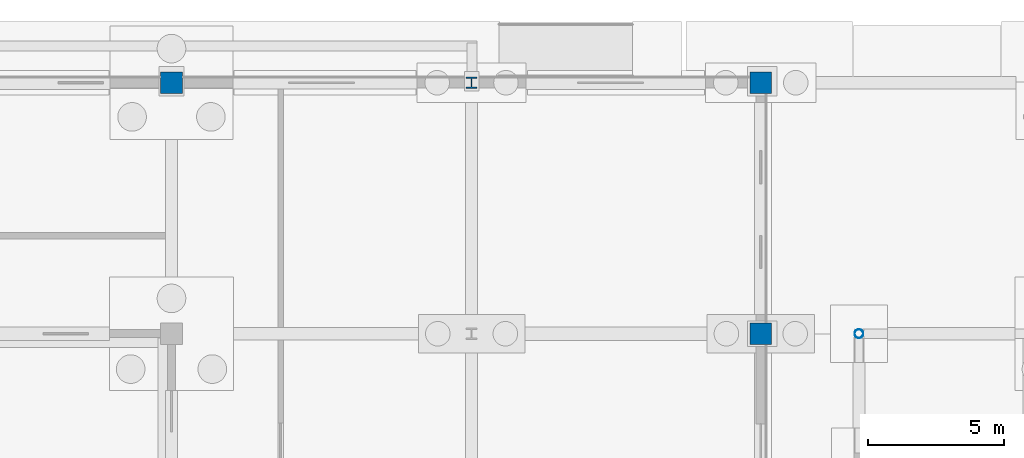
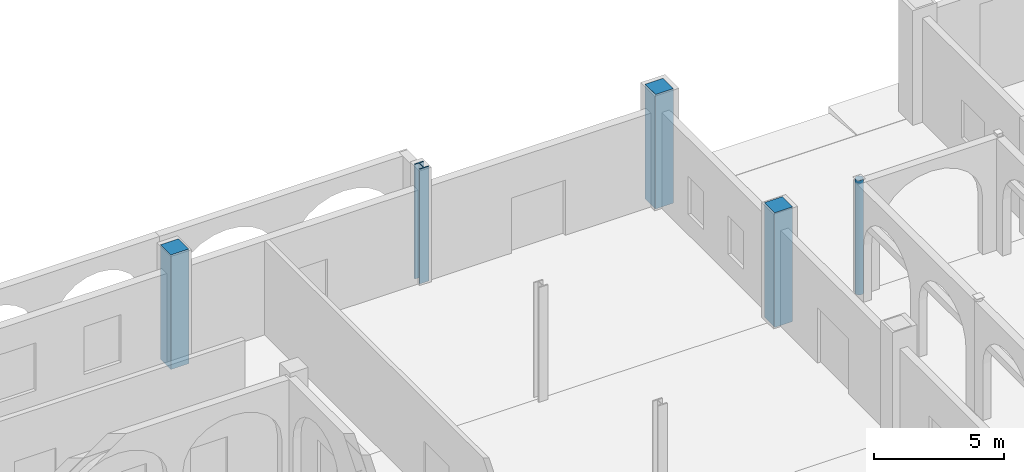
# One storey, part 26 of 83: 5 columns.
"""IFC4 building model written with IfcOpenShell, lengths in metres."""

from ifc_helpers import new_model, si_unit, direction, frame, origin, origin_2d, place, context, subcontext, project, spatial, rectangle, hollow_circle, i_section, extrude, material, material_profile, profile_set, type_object, element, save


model = new_model("IFC4")

# Units and contexts
model_context = context("Model", 3, precision=1e-05, world=origin(), true_north=direction((0.0, 1.0)))
body_context = subcontext(model_context, "Body", "Model", "MODEL_VIEW")
ifc_project = project(units=[si_unit("LENGTHUNIT", "METRE"), si_unit("AREAUNIT", "SQUARE_METRE"), si_unit("VOLUMEUNIT", "CUBIC_METRE"), si_unit("PLANEANGLEUNIT", "RADIAN"), si_unit("MASSUNIT", "GRAM", prefix="KILO")], contexts=[model_context])

# Site, building, storey
site_placement = place(None, origin())
site = spatial("IfcSite", under=ifc_project, at=site_placement, CompositionType="ELEMENT")
building_placement = place(site_placement, origin())
building = spatial("IfcBuilding", under=site, at=building_placement, Name="Caurita Quay Ferry Terminal", CompositionType="ELEMENT")
storey_placement = place(building_placement, origin())
storey = spatial("IfcBuildingStorey", under=building, at=storey_placement, Name="L00", CompositionType="ELEMENT", Elevation=0.0)

# Columns
ifc_material_1 = material(Name="Hollow structural steel ASTM A500 Gr. C", Category="steel")
ifc_material_profile_1 = material_profile(ifc_material_1, hollow_circle(Radius=0.161865234375, WallThickness=0.0087890625, at=origin_2d()), Name="HSS12.750X0.375")
ifc_profile_set_1 = profile_set([ifc_material_profile_1], Name="Hollow structural steel ASTM A500 Gr. C")
column_type_1 = type_object("IfcColumnType", Name="COL-MST-03", PredefinedType="COLUMN", material=ifc_profile_set_1)
column_1_placement = place(storey_placement, frame((91.199951171875, 107.800048828125, 0.0), z_axis=(0.0, 0.0, 1.0), x_axis=(1.0, 0.0, 0.0)))
element("IfcColumn", 1, at=column_1_placement, inside=storey, type_object=column_type_1, Name="L00 Column V6-W-Q", PredefinedType="COLUMN", context=body_context, shape_type="SweptSolid", body=[
    extrude(hollow_circle(Radius=0.161865234375, WallThickness=0.0087890625, at=origin_2d()), origin(), (0.0, 0.0, 1.0), 5.39990234375),
])
ifc_material_2 = material(Name="Marine reinforced concrete C40/50", Category="concrete")
ifc_material_profile_2 = material_profile(ifc_material_2, rectangle(XDim=0.800048828125, YDim=0.800048828125, at=origin_2d()), Name="RC-COL-800X800")
ifc_profile_set_2 = profile_set([ifc_material_profile_2], Name="Marine reinforced concrete C40/50")
column_type_2 = type_object("IfcColumnType", Name="COL-RC-800", PredefinedType="COLUMN", material=ifc_profile_set_2)
for number, where, z_axis, x_axis, name in (
    (2, (66.0, 117.0, 0.0), (0.0, 0.0, 1.0), (1.0, 0.0, 0.0), "L00 Column V5-07-R"),
    (3, (87.60009765625, 107.800048828125, 0.0), (0.0, 0.0, 1.0), (1.0, 0.0, 0.0), "L00 Column V5-09-Q"),
    (4, (87.60009765625, 117.0, 0.0), (0.0, 0.0, 1.0), (1.0, 0.0, 0.0), "L00 Column V5-09-R"),
):
    element("IfcColumn", number, at=place(storey_placement, frame(where, z_axis=z_axis, x_axis=x_axis)), inside=storey, type_object=column_type_2, Name=name, PredefinedType="COLUMN", context=body_context, shape_type="SweptSolid", body=[
        extrude(rectangle(XDim=0.800048828125, YDim=0.800048828125, at=origin_2d()), origin(), (0.0, 0.0, 1.0), 5.39990234375),
    ])
ifc_material_3 = material(Name="Structural steel ASTM A992 Gr. 50", Category="steel")
ifc_material_profile_3 = material_profile(ifc_material_3, i_section(OverallWidth=0.410888671875, OverallDepth=0.43408203125, WebThickness=0.035888671875, FlangeThickness=0.057373046875, at=origin_2d()), Name="W14X311")
ifc_profile_set_3 = profile_set([ifc_material_profile_3], Name="Structural steel ASTM A992 Gr. 50")
column_type_3 = type_object("IfcColumnType", Name="COL-STL-01", PredefinedType="COLUMN", material=ifc_profile_set_3)
column_2_placement = place(storey_placement, frame((77.0, 117.0, 0.0), z_axis=(0.0, 0.0, 1.0), x_axis=(1.0, 0.0, 0.0)))
element("IfcColumn", 5, at=column_2_placement, inside=storey, type_object=column_type_3, Name="L00 Column V5-08-R", PredefinedType="COLUMN", context=body_context, shape_type="SweptSolid", body=[
    extrude(i_section(OverallWidth=0.410888671875, OverallDepth=0.43408203125, WebThickness=0.035888671875, FlangeThickness=0.057373046875, at=origin_2d()), origin(), (0.0, 0.0, 1.0), 5.39990234375),
])

save(model, "model.ifc")
